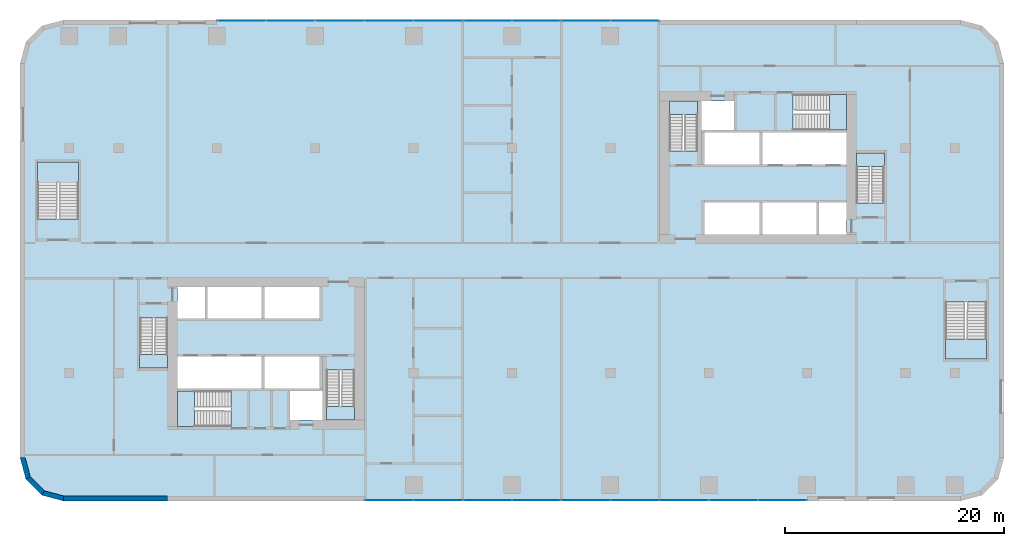
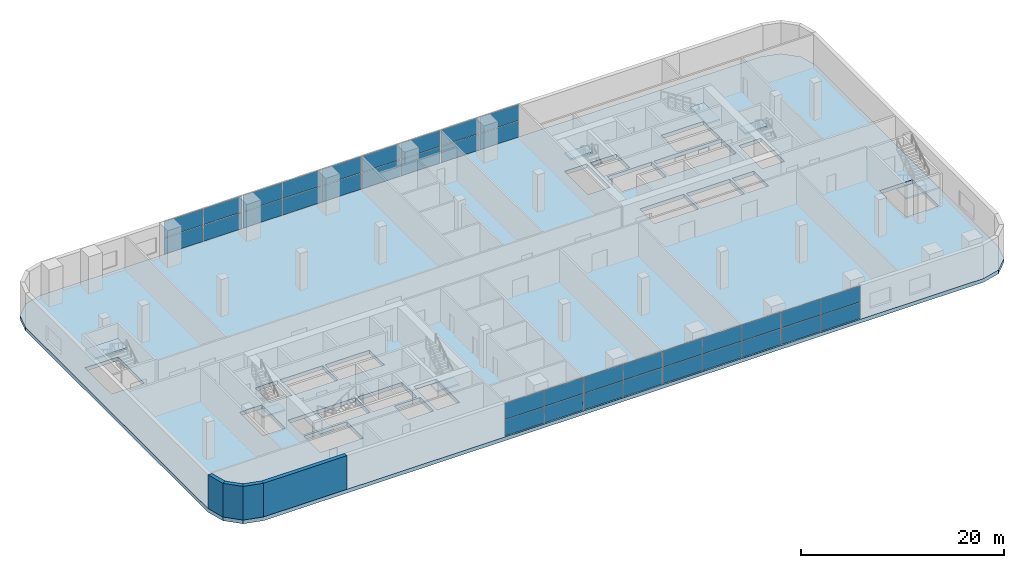
# One storey, part 6 of 19: 36 plates, 9 slabs, 4 walls, 16 elements without a shape of their own.
"""IFC4 building model written with IfcOpenShell, lengths in metres."""

from ifc_helpers import new_model, si_unit, direction, frame, frame_2d, origin, origin_2d, place, context, subcontext, project, spatial, polyline, rectangle, outline, extrude, material, layer, layer_set, type_object, element, aggregate, save


model = new_model("IFC4")

# Units and contexts
model_context = context("Model", 3, precision=1e-05, world=origin(), true_north=direction((0.0, 1.0)))
body_context = subcontext(model_context, "Body", "Model", "MODEL_VIEW")
ifc_project = project(units=[si_unit("LENGTHUNIT", "METRE"), si_unit("AREAUNIT", "SQUARE_METRE"), si_unit("VOLUMEUNIT", "CUBIC_METRE"), si_unit("PLANEANGLEUNIT", "RADIAN"), si_unit("MASSUNIT", "GRAM", prefix="KILO")], contexts=[model_context])

# Site, building, storey
site_placement = place(None, origin())
site = spatial("IfcSite", under=ifc_project, at=site_placement, CompositionType="ELEMENT")
building_placement = place(site_placement, origin())
building = spatial("IfcBuilding", under=site, at=building_placement, Name="Kajstack Hotel Tower", CompositionType="ELEMENT")
storey_placement = place(building_placement, frame((0.0, 0.0, 33.5)))
storey = spatial("IfcBuildingStorey", under=building, at=storey_placement, Name="L05", CompositionType="ELEMENT", Elevation=33.5)

# Curtain wall, plates
ifc_material_1 = material(Name="Aluminium-framed curtain wall, solar-control glass", Category="aluminium")
curtain_wall_type = type_object("IfcCurtainWallType", Name="CW-CLUB", PredefinedType="NOTDEFINED", material=ifc_material_1)
curtain_wall_1_placement = place(storey_placement, origin())
curtain_wall_1 = element("IfcCurtainWall", 1, at=curtain_wall_1_placement, inside=storey, type_object=curtain_wall_type, Name="Curtain wall CU4 L05-03-02-0", PredefinedType="NOTDEFINED")
ifc_material_2 = material(Name="Solar-control glass", Category="glass")
ifc_layer_1 = layer(ifc_material_2, 0.028076171875)
ifc_layer_set_1 = layer_set([ifc_layer_1], Name="CW-P-CLUB")
plate_type = type_object("IfcPlateType", Name="CW-P-CLUB", PredefinedType="CURTAIN_PANEL", material=ifc_layer_set_1)
plate_1_placement = place(storey_placement, frame((-11.235107421875, -21.925048828125, 0.06005859375), z_axis=(0.0, 0.0, 1.0), x_axis=(1.0, 0.0, 0.0)))
plate_1 = element("IfcPlate", 2, at=plate_1_placement, type_object=plate_type, Name="CU4 panel 1.1", PredefinedType="CURTAIN_PANEL", context=body_context, shape_type="SweptSolid", body=[
    extrude(rectangle(XDim=4.409912109375, YDim=0.028076171875, at=origin_2d()), origin(), (0.0, 0.0, 1.0), 1.93505859375),
])
plate_2_placement = place(storey_placement, frame((-11.235107421875, -21.925048828125, 2.054931640625), z_axis=(0.0, 0.0, 1.0), x_axis=(1.0, 0.0, 0.0)))
plate_2 = element("IfcPlate", 3, at=plate_2_placement, type_object=plate_type, Name="CU4 panel 1.2", PredefinedType="CURTAIN_PANEL", context=body_context, shape_type="SweptSolid", body=[
    extrude(rectangle(XDim=4.409912109375, YDim=0.028076171875, at=origin_2d()), origin(), (0.0, 0.0, 1.0), 1.93505859375),
])
plate_3_placement = place(storey_placement, frame((-6.764892578125, -21.925048828125, 0.06005859375), z_axis=(0.0, 0.0, 1.0), x_axis=(1.0, 0.0, 0.0)))
plate_3 = element("IfcPlate", 4, at=plate_3_placement, type_object=plate_type, Name="CU4 panel 2.1", PredefinedType="CURTAIN_PANEL", context=body_context, shape_type="SweptSolid", body=[
    extrude(rectangle(XDim=4.409912109375, YDim=0.028076171875, at=origin_2d()), origin(), (0.0, 0.0, 1.0), 1.93505859375),
])
plate_4_placement = place(storey_placement, frame((-6.764892578125, -21.925048828125, 2.054931640625), z_axis=(0.0, 0.0, 1.0), x_axis=(1.0, 0.0, 0.0)))
plate_4 = element("IfcPlate", 5, at=plate_4_placement, type_object=plate_type, Name="CU4 panel 2.2", PredefinedType="CURTAIN_PANEL", context=body_context, shape_type="SweptSolid", body=[
    extrude(rectangle(XDim=4.409912109375, YDim=0.028076171875, at=origin_2d()), origin(), (0.0, 0.0, 1.0), 1.93505859375),
])
aggregate(curtain_wall_1, [plate_1, plate_2, plate_3, plate_4])

curtain_wall_2_placement = place(storey_placement, origin())
curtain_wall_2 = element("IfcCurtainWall", 6, at=curtain_wall_2_placement, inside=storey, type_object=curtain_wall_type, Name="Curtain wall CU4 L05-03-02-1", PredefinedType="NOTDEFINED")
plate_5_placement = place(storey_placement, frame((-2.235107421875, -21.925048828125, 0.06005859375), z_axis=(0.0, 0.0, 1.0), x_axis=(1.0, 0.0, 0.0)))
plate_5 = element("IfcPlate", 7, at=plate_5_placement, type_object=plate_type, Name="CU4 panel 1.1", PredefinedType="CURTAIN_PANEL", context=body_context, shape_type="SweptSolid", body=[
    extrude(rectangle(XDim=4.409912109375, YDim=0.028076171875, at=origin_2d()), origin(), (0.0, 0.0, 1.0), 1.93505859375),
])
plate_6_placement = place(storey_placement, frame((-2.235107421875, -21.925048828125, 2.054931640625), z_axis=(0.0, 0.0, 1.0), x_axis=(1.0, 0.0, 0.0)))
plate_6 = element("IfcPlate", 8, at=plate_6_placement, type_object=plate_type, Name="CU4 panel 1.2", PredefinedType="CURTAIN_PANEL", context=body_context, shape_type="SweptSolid", body=[
    extrude(rectangle(XDim=4.409912109375, YDim=0.028076171875, at=origin_2d()), origin(), (0.0, 0.0, 1.0), 1.93505859375),
])
plate_7_placement = place(storey_placement, frame((2.235107421875, -21.925048828125, 0.06005859375), z_axis=(0.0, 0.0, 1.0), x_axis=(1.0, 0.0, 0.0)))
plate_7 = element("IfcPlate", 9, at=plate_7_placement, type_object=plate_type, Name="CU4 panel 2.1", PredefinedType="CURTAIN_PANEL", context=body_context, shape_type="SweptSolid", body=[
    extrude(rectangle(XDim=4.409912109375, YDim=0.028076171875, at=origin_2d()), origin(), (0.0, 0.0, 1.0), 1.93505859375),
])
plate_8_placement = place(storey_placement, frame((2.235107421875, -21.925048828125, 2.054931640625), z_axis=(0.0, 0.0, 1.0), x_axis=(1.0, 0.0, 0.0)))
plate_8 = element("IfcPlate", 10, at=plate_8_placement, type_object=plate_type, Name="CU4 panel 2.2", PredefinedType="CURTAIN_PANEL", context=body_context, shape_type="SweptSolid", body=[
    extrude(rectangle(XDim=4.409912109375, YDim=0.028076171875, at=origin_2d()), origin(), (0.0, 0.0, 1.0), 1.93505859375),
])
aggregate(curtain_wall_2, [plate_5, plate_6, plate_7, plate_8])

curtain_wall_3_placement = place(storey_placement, origin())
curtain_wall_3 = element("IfcCurtainWall", 11, at=curtain_wall_3_placement, inside=storey, type_object=curtain_wall_type, Name="Curtain wall CU4 L05-03-02-2", PredefinedType="NOTDEFINED")
plate_9_placement = place(storey_placement, frame((6.764892578125, -21.925048828125, 0.06005859375), z_axis=(0.0, 0.0, 1.0), x_axis=(1.0, 0.0, 0.0)))
plate_9 = element("IfcPlate", 12, at=plate_9_placement, type_object=plate_type, Name="CU4 panel 1.1", PredefinedType="CURTAIN_PANEL", context=body_context, shape_type="SweptSolid", body=[
    extrude(rectangle(XDim=4.409912109375, YDim=0.028076171875, at=origin_2d()), origin(), (0.0, 0.0, 1.0), 1.93505859375),
])
plate_10_placement = place(storey_placement, frame((6.764892578125, -21.925048828125, 2.054931640625), z_axis=(0.0, 0.0, 1.0), x_axis=(1.0, 0.0, 0.0)))
plate_10 = element("IfcPlate", 13, at=plate_10_placement, type_object=plate_type, Name="CU4 panel 1.2", PredefinedType="CURTAIN_PANEL", context=body_context, shape_type="SweptSolid", body=[
    extrude(rectangle(XDim=4.409912109375, YDim=0.028076171875, at=origin_2d()), origin(), (0.0, 0.0, 1.0), 1.93505859375),
])
plate_11_placement = place(storey_placement, frame((11.25, -21.925048828125, 0.06005859375), z_axis=(0.0, 0.0, 1.0), x_axis=(1.0, 0.0, 0.0)))
plate_11 = element("IfcPlate", 14, at=plate_11_placement, type_object=plate_type, Name="CU4 panel 2.1", PredefinedType="CURTAIN_PANEL", context=body_context, shape_type="SweptSolid", body=[
    extrude(rectangle(XDim=4.43994140625, YDim=0.028076171875, at=origin_2d()), origin(), (0.0, 0.0, 1.0), 1.93505859375),
])
plate_12_placement = place(storey_placement, frame((11.25, -21.925048828125, 2.054931640625), z_axis=(0.0, 0.0, 1.0), x_axis=(1.0, 0.0, 0.0)))
plate_12 = element("IfcPlate", 15, at=plate_12_placement, type_object=plate_type, Name="CU4 panel 2.2", PredefinedType="CURTAIN_PANEL", context=body_context, shape_type="SweptSolid", body=[
    extrude(rectangle(XDim=4.43994140625, YDim=0.028076171875, at=origin_2d()), origin(), (0.0, 0.0, 1.0), 1.93505859375),
])
plate_13_placement = place(storey_placement, frame((15.735107421875, -21.925048828125, 0.06005859375), z_axis=(0.0, 0.0, 1.0), x_axis=(1.0, 0.0, 0.0)))
plate_13 = element("IfcPlate", 16, at=plate_13_placement, type_object=plate_type, Name="CU4 panel 3.1", PredefinedType="CURTAIN_PANEL", context=body_context, shape_type="SweptSolid", body=[
    extrude(rectangle(XDim=4.409912109375, YDim=0.028076171875, at=origin_2d()), origin(), (0.0, 0.0, 1.0), 1.93505859375),
])
plate_14_placement = place(storey_placement, frame((15.735107421875, -21.925048828125, 2.054931640625), z_axis=(0.0, 0.0, 1.0), x_axis=(1.0, 0.0, 0.0)))
plate_14 = element("IfcPlate", 17, at=plate_14_placement, type_object=plate_type, Name="CU4 panel 3.2", PredefinedType="CURTAIN_PANEL", context=body_context, shape_type="SweptSolid", body=[
    extrude(rectangle(XDim=4.409912109375, YDim=0.028076171875, at=origin_2d()), origin(), (0.0, 0.0, 1.0), 1.93505859375),
])
aggregate(curtain_wall_3, [plate_9, plate_10, plate_11, plate_12, plate_13, plate_14])

curtain_wall_4_placement = place(storey_placement, origin())
curtain_wall_4 = element("IfcCurtainWall", 18, at=curtain_wall_4_placement, inside=storey, type_object=curtain_wall_type, Name="Curtain wall CU4 L05-03-02-3", PredefinedType="NOTDEFINED")
plate_15_placement = place(storey_placement, frame((20.264892578125, -21.925048828125, 0.06005859375), z_axis=(0.0, 0.0, 1.0), x_axis=(1.0, 0.0, 0.0)))
plate_15 = element("IfcPlate", 19, at=plate_15_placement, type_object=plate_type, Name="CU4 panel 1.1", PredefinedType="CURTAIN_PANEL", context=body_context, shape_type="SweptSolid", body=[
    extrude(rectangle(XDim=4.409912109375, YDim=0.028076171875, at=origin_2d()), origin(), (0.0, 0.0, 1.0), 1.93505859375),
])
plate_16_placement = place(storey_placement, frame((20.264892578125, -21.925048828125, 2.054931640625), z_axis=(0.0, 0.0, 1.0), x_axis=(1.0, 0.0, 0.0)))
plate_16 = element("IfcPlate", 20, at=plate_16_placement, type_object=plate_type, Name="CU4 panel 1.2", PredefinedType="CURTAIN_PANEL", context=body_context, shape_type="SweptSolid", body=[
    extrude(rectangle(XDim=4.409912109375, YDim=0.028076171875, at=origin_2d()), origin(), (0.0, 0.0, 1.0), 1.93505859375),
])
plate_17_placement = place(storey_placement, frame((24.735107421875, -21.925048828125, 0.06005859375), z_axis=(0.0, 0.0, 1.0), x_axis=(1.0, 0.0, 0.0)))
plate_17 = element("IfcPlate", 21, at=plate_17_placement, type_object=plate_type, Name="CU4 panel 2.1", PredefinedType="CURTAIN_PANEL", context=body_context, shape_type="SweptSolid", body=[
    extrude(rectangle(XDim=4.409912109375, YDim=0.028076171875, at=origin_2d()), origin(), (0.0, 0.0, 1.0), 1.93505859375),
])
plate_18_placement = place(storey_placement, frame((24.735107421875, -21.925048828125, 2.054931640625), z_axis=(0.0, 0.0, 1.0), x_axis=(1.0, 0.0, 0.0)))
plate_18 = element("IfcPlate", 22, at=plate_18_placement, type_object=plate_type, Name="CU4 panel 2.2", PredefinedType="CURTAIN_PANEL", context=body_context, shape_type="SweptSolid", body=[
    extrude(rectangle(XDim=4.409912109375, YDim=0.028076171875, at=origin_2d()), origin(), (0.0, 0.0, 1.0), 1.93505859375),
])
aggregate(curtain_wall_4, [plate_15, plate_16, plate_17, plate_18])

curtain_wall_5_placement = place(storey_placement, origin())
curtain_wall_5 = element("IfcCurtainWall", 23, at=curtain_wall_5_placement, inside=storey, type_object=curtain_wall_type, Name="Curtain wall CU4 L05-11-02-0", PredefinedType="NOTDEFINED")
plate_19_placement = place(storey_placement, frame((11.235107421875, 21.925048828125, 0.06005859375), z_axis=(0.0, 0.0, 1.0), x_axis=(-1.0, 0.0, 0.0)))
plate_19 = element("IfcPlate", 24, at=plate_19_placement, type_object=plate_type, Name="CU4 panel 1.1", PredefinedType="CURTAIN_PANEL", context=body_context, shape_type="SweptSolid", body=[
    extrude(rectangle(XDim=4.409912109375, YDim=0.028076171875, at=origin_2d()), origin(), (0.0, 0.0, 1.0), 1.93505859375),
])
plate_20_placement = place(storey_placement, frame((11.235107421875, 21.925048828125, 2.054931640625), z_axis=(0.0, 0.0, 1.0), x_axis=(-1.0, 0.0, 0.0)))
plate_20 = element("IfcPlate", 25, at=plate_20_placement, type_object=plate_type, Name="CU4 panel 1.2", PredefinedType="CURTAIN_PANEL", context=body_context, shape_type="SweptSolid", body=[
    extrude(rectangle(XDim=4.409912109375, YDim=0.028076171875, at=origin_2d()), origin(), (0.0, 0.0, 1.0), 1.93505859375),
])
plate_21_placement = place(storey_placement, frame((6.764892578125, 21.925048828125, 0.06005859375), z_axis=(0.0, 0.0, 1.0), x_axis=(-1.0, 0.0, 0.0)))
plate_21 = element("IfcPlate", 26, at=plate_21_placement, type_object=plate_type, Name="CU4 panel 2.1", PredefinedType="CURTAIN_PANEL", context=body_context, shape_type="SweptSolid", body=[
    extrude(rectangle(XDim=4.409912109375, YDim=0.028076171875, at=origin_2d()), origin(), (0.0, 0.0, 1.0), 1.93505859375),
])
plate_22_placement = place(storey_placement, frame((6.764892578125, 21.925048828125, 2.054931640625), z_axis=(0.0, 0.0, 1.0), x_axis=(-1.0, 0.0, 0.0)))
plate_22 = element("IfcPlate", 27, at=plate_22_placement, type_object=plate_type, Name="CU4 panel 2.2", PredefinedType="CURTAIN_PANEL", context=body_context, shape_type="SweptSolid", body=[
    extrude(rectangle(XDim=4.409912109375, YDim=0.028076171875, at=origin_2d()), origin(), (0.0, 0.0, 1.0), 1.93505859375),
])
aggregate(curtain_wall_5, [plate_19, plate_20, plate_21, plate_22])

curtain_wall_6_placement = place(storey_placement, origin())
curtain_wall_6 = element("IfcCurtainWall", 28, at=curtain_wall_6_placement, inside=storey, type_object=curtain_wall_type, Name="Curtain wall CU4 L05-11-02-1", PredefinedType="NOTDEFINED")
plate_23_placement = place(storey_placement, frame((2.235107421875, 21.925048828125, 0.06005859375), z_axis=(0.0, 0.0, 1.0), x_axis=(-1.0, 0.0, 0.0)))
plate_23 = element("IfcPlate", 29, at=plate_23_placement, type_object=plate_type, Name="CU4 panel 1.1", PredefinedType="CURTAIN_PANEL", context=body_context, shape_type="SweptSolid", body=[
    extrude(rectangle(XDim=4.409912109375, YDim=0.028076171875, at=origin_2d()), origin(), (0.0, 0.0, 1.0), 1.93505859375),
])
plate_24_placement = place(storey_placement, frame((2.235107421875, 21.925048828125, 2.054931640625), z_axis=(0.0, 0.0, 1.0), x_axis=(-1.0, 0.0, 0.0)))
plate_24 = element("IfcPlate", 30, at=plate_24_placement, type_object=plate_type, Name="CU4 panel 1.2", PredefinedType="CURTAIN_PANEL", context=body_context, shape_type="SweptSolid", body=[
    extrude(rectangle(XDim=4.409912109375, YDim=0.028076171875, at=origin_2d()), origin(), (0.0, 0.0, 1.0), 1.93505859375),
])
plate_25_placement = place(storey_placement, frame((-2.235107421875, 21.925048828125, 0.06005859375), z_axis=(0.0, 0.0, 1.0), x_axis=(-1.0, 0.0, 0.0)))
plate_25 = element("IfcPlate", 31, at=plate_25_placement, type_object=plate_type, Name="CU4 panel 2.1", PredefinedType="CURTAIN_PANEL", context=body_context, shape_type="SweptSolid", body=[
    extrude(rectangle(XDim=4.409912109375, YDim=0.028076171875, at=origin_2d()), origin(), (0.0, 0.0, 1.0), 1.93505859375),
])
plate_26_placement = place(storey_placement, frame((-2.235107421875, 21.925048828125, 2.054931640625), z_axis=(0.0, 0.0, 1.0), x_axis=(-1.0, 0.0, 0.0)))
plate_26 = element("IfcPlate", 32, at=plate_26_placement, type_object=plate_type, Name="CU4 panel 2.2", PredefinedType="CURTAIN_PANEL", context=body_context, shape_type="SweptSolid", body=[
    extrude(rectangle(XDim=4.409912109375, YDim=0.028076171875, at=origin_2d()), origin(), (0.0, 0.0, 1.0), 1.93505859375),
])
aggregate(curtain_wall_6, [plate_23, plate_24, plate_25, plate_26])

curtain_wall_7_placement = place(storey_placement, origin())
curtain_wall_7 = element("IfcCurtainWall", 33, at=curtain_wall_7_placement, inside=storey, type_object=curtain_wall_type, Name="Curtain wall CU4 L05-11-02-2", PredefinedType="NOTDEFINED")
plate_27_placement = place(storey_placement, frame((-6.764892578125, 21.925048828125, 0.06005859375), z_axis=(0.0, 0.0, 1.0), x_axis=(-1.0, 0.0, 0.0)))
plate_27 = element("IfcPlate", 34, at=plate_27_placement, type_object=plate_type, Name="CU4 panel 1.1", PredefinedType="CURTAIN_PANEL", context=body_context, shape_type="SweptSolid", body=[
    extrude(rectangle(XDim=4.409912109375, YDim=0.028076171875, at=origin_2d()), origin(), (0.0, 0.0, 1.0), 1.93505859375),
])
plate_28_placement = place(storey_placement, frame((-6.764892578125, 21.925048828125, 2.054931640625), z_axis=(0.0, 0.0, 1.0), x_axis=(-1.0, 0.0, 0.0)))
plate_28 = element("IfcPlate", 35, at=plate_28_placement, type_object=plate_type, Name="CU4 panel 1.2", PredefinedType="CURTAIN_PANEL", context=body_context, shape_type="SweptSolid", body=[
    extrude(rectangle(XDim=4.409912109375, YDim=0.028076171875, at=origin_2d()), origin(), (0.0, 0.0, 1.0), 1.93505859375),
])
plate_29_placement = place(storey_placement, frame((-11.25, 21.925048828125, 0.06005859375), z_axis=(0.0, 0.0, 1.0), x_axis=(-1.0, 0.0, 0.0)))
plate_29 = element("IfcPlate", 36, at=plate_29_placement, type_object=plate_type, Name="CU4 panel 2.1", PredefinedType="CURTAIN_PANEL", context=body_context, shape_type="SweptSolid", body=[
    extrude(rectangle(XDim=4.43994140625, YDim=0.028076171875, at=origin_2d()), origin(), (0.0, 0.0, 1.0), 1.93505859375),
])
plate_30_placement = place(storey_placement, frame((-11.25, 21.925048828125, 2.054931640625), z_axis=(0.0, 0.0, 1.0), x_axis=(-1.0, 0.0, 0.0)))
plate_30 = element("IfcPlate", 37, at=plate_30_placement, type_object=plate_type, Name="CU4 panel 2.2", PredefinedType="CURTAIN_PANEL", context=body_context, shape_type="SweptSolid", body=[
    extrude(rectangle(XDim=4.43994140625, YDim=0.028076171875, at=origin_2d()), origin(), (0.0, 0.0, 1.0), 1.93505859375),
])
plate_31_placement = place(storey_placement, frame((-15.735107421875, 21.925048828125, 0.06005859375), z_axis=(0.0, 0.0, 1.0), x_axis=(-1.0, 0.0, 0.0)))
plate_31 = element("IfcPlate", 38, at=plate_31_placement, type_object=plate_type, Name="CU4 panel 3.1", PredefinedType="CURTAIN_PANEL", context=body_context, shape_type="SweptSolid", body=[
    extrude(rectangle(XDim=4.409912109375, YDim=0.028076171875, at=origin_2d()), origin(), (0.0, 0.0, 1.0), 1.93505859375),
])
plate_32_placement = place(storey_placement, frame((-15.735107421875, 21.925048828125, 2.054931640625), z_axis=(0.0, 0.0, 1.0), x_axis=(-1.0, 0.0, 0.0)))
plate_32 = element("IfcPlate", 39, at=plate_32_placement, type_object=plate_type, Name="CU4 panel 3.2", PredefinedType="CURTAIN_PANEL", context=body_context, shape_type="SweptSolid", body=[
    extrude(rectangle(XDim=4.409912109375, YDim=0.028076171875, at=origin_2d()), origin(), (0.0, 0.0, 1.0), 1.93505859375),
])
aggregate(curtain_wall_7, [plate_27, plate_28, plate_29, plate_30, plate_31, plate_32])

curtain_wall_8_placement = place(storey_placement, origin())
curtain_wall_8 = element("IfcCurtainWall", 40, at=curtain_wall_8_placement, inside=storey, type_object=curtain_wall_type, Name="Curtain wall CU4 L05-11-02-3", PredefinedType="NOTDEFINED")
plate_33_placement = place(storey_placement, frame((-20.264892578125, 21.925048828125, 0.06005859375), z_axis=(0.0, 0.0, 1.0), x_axis=(-1.0, 0.0, 0.0)))
plate_33 = element("IfcPlate", 41, at=plate_33_placement, type_object=plate_type, Name="CU4 panel 1.1", PredefinedType="CURTAIN_PANEL", context=body_context, shape_type="SweptSolid", body=[
    extrude(rectangle(XDim=4.409912109375, YDim=0.028076171875, at=origin_2d()), origin(), (0.0, 0.0, 1.0), 1.93505859375),
])
plate_34_placement = place(storey_placement, frame((-20.264892578125, 21.925048828125, 2.054931640625), z_axis=(0.0, 0.0, 1.0), x_axis=(-1.0, 0.0, 0.0)))
plate_34 = element("IfcPlate", 42, at=plate_34_placement, type_object=plate_type, Name="CU4 panel 1.2", PredefinedType="CURTAIN_PANEL", context=body_context, shape_type="SweptSolid", body=[
    extrude(rectangle(XDim=4.409912109375, YDim=0.028076171875, at=origin_2d()), origin(), (0.0, 0.0, 1.0), 1.93505859375),
])
plate_35_placement = place(storey_placement, frame((-24.735107421875, 21.925048828125, 0.06005859375), z_axis=(0.0, 0.0, 1.0), x_axis=(-1.0, 0.0, 0.0)))
plate_35 = element("IfcPlate", 43, at=plate_35_placement, type_object=plate_type, Name="CU4 panel 2.1", PredefinedType="CURTAIN_PANEL", context=body_context, shape_type="SweptSolid", body=[
    extrude(rectangle(XDim=4.409912109375, YDim=0.028076171875, at=origin_2d()), origin(), (0.0, 0.0, 1.0), 1.93505859375),
])
plate_36_placement = place(storey_placement, frame((-24.735107421875, 21.925048828125, 2.054931640625), z_axis=(0.0, 0.0, 1.0), x_axis=(-1.0, 0.0, 0.0)))
plate_36 = element("IfcPlate", 44, at=plate_36_placement, type_object=plate_type, Name="CU4 panel 2.2", PredefinedType="CURTAIN_PANEL", context=body_context, shape_type="SweptSolid", body=[
    extrude(rectangle(XDim=4.409912109375, YDim=0.028076171875, at=origin_2d()), origin(), (0.0, 0.0, 1.0), 1.93505859375),
])
aggregate(curtain_wall_8, [plate_33, plate_34, plate_35, plate_36])

# Slab
ifc_material_3 = material(Name="Concrete C45/55", Category="concrete")
ifc_layer_2 = layer(ifc_material_3, 0.449951171875)
ifc_layer_set_2 = layer_set([ifc_layer_2], Name="RC slab 450 C45/55 podium")
slab_type_1 = type_object("IfcSlabType", Name="RC slab 450 C45/55 podium", PredefinedType="FLOOR", material=ifc_layer_set_2)
slab_1_placement = place(storey_placement, frame((0.0, 0.0, -0.449951171875)))
element("IfcSlab", 45, at=slab_1_placement, inside=storey, type_object=slab_type_1, Name="S-slab-L05", PredefinedType="FLOOR", context=body_context, shape_type="SweptSolid", body=[
    extrude(outline(polyline([(-45.0, -18.0), (-44.464111328125, -20.0), (-43.0, -21.464111328125), (-41.0, -22.0), (41.0, -22.0), (43.0, -21.464111328125), (44.464111328125, -20.0), (45.0, -18.0), (45.0, 18.0), (44.464111328125, 20.0), (43.0, 21.464111328125), (41.0, 22.0), (-41.0, 22.0), (-43.0, 21.464111328125), (-44.464111328125, 20.0), (-45.0, 18.0), (-45.0, -18.0)]), holes=[polyline([(-30.60009765625, -11.699951171875), (-30.60009765625, -8.800048828125), (-22.89990234375, -8.800048828125), (-22.89990234375, -11.699951171875), (-30.60009765625, -11.699951171875)]), polyline([(-22.64990234375, -11.699951171875), (-22.64990234375, -8.800048828125), (-17.60009765625, -8.800048828125), (-17.60009765625, -11.699951171875), (-22.64990234375, -11.699951171875)]), polyline([(-27.85009765625, -5.300048828125), (-27.85009765625, -2.39990234375), (-22.89990234375, -2.39990234375), (-22.89990234375, -5.300048828125), (-27.85009765625, -5.300048828125)]), polyline([(-22.64990234375, -5.300048828125), (-22.64990234375, -2.39990234375), (-17.60009765625, -2.39990234375), (-17.60009765625, -5.300048828125), (-22.64990234375, -5.300048828125)]), polyline([(-20.300048828125, -14.60009765625), (-17.35009765625, -14.60009765625), (-17.35009765625, -11.949951171875), (-20.300048828125, -11.949951171875), (-20.300048828125, -14.60009765625)]), polyline([(-30.60009765625, -5.300048828125), (-28.10009765625, -5.300048828125), (-28.10009765625, -2.39990234375), (-30.60009765625, -2.39990234375), (-30.60009765625, -5.300048828125)]), polyline([(22.89990234375, 8.800048828125), (22.89990234375, 11.699951171875), (30.60009765625, 11.699951171875), (30.60009765625, 8.800048828125), (22.89990234375, 8.800048828125)]), polyline([(17.60009765625, 8.800048828125), (17.60009765625, 11.699951171875), (22.64990234375, 11.699951171875), (22.64990234375, 8.800048828125), (17.60009765625, 8.800048828125)]), polyline([(22.89990234375, 2.39990234375), (22.89990234375, 5.300048828125), (27.85009765625, 5.300048828125), (27.85009765625, 2.39990234375), (22.89990234375, 2.39990234375)]), polyline([(17.60009765625, 2.39990234375), (17.60009765625, 5.300048828125), (22.64990234375, 5.300048828125), (22.64990234375, 2.39990234375), (17.60009765625, 2.39990234375)]), polyline([(20.300048828125, 14.60009765625), (17.35009765625, 14.60009765625), (17.35009765625, 11.949951171875), (20.300048828125, 11.949951171875), (20.300048828125, 14.60009765625)]), polyline([(30.60009765625, 5.300048828125), (28.10009765625, 5.300048828125), (28.10009765625, 2.39990234375), (30.60009765625, 2.39990234375), (30.60009765625, 5.300048828125)]), polyline([(-34.050048828125, -9.85009765625), (-31.5, -9.85009765625), (-31.5, -5.25), (-34.050048828125, -5.25), (-34.050048828125, -9.85009765625)]), polyline([(-16.949951171875, -14.60009765625), (-14.39990234375, -14.60009765625), (-14.39990234375, -10.0), (-16.949951171875, -10.0), (-16.949951171875, -14.60009765625)]), polyline([(-30.60009765625, -15.199951171875), (-25.699951171875, -15.199951171875), (-25.699951171875, -11.949951171875), (-30.60009765625, -11.949951171875), (-30.60009765625, -15.199951171875)]), polyline([(34.050048828125, 9.85009765625), (31.5, 9.85009765625), (31.5, 5.25), (34.050048828125, 5.25), (34.050048828125, 9.85009765625)]), polyline([(16.949951171875, 14.60009765625), (14.39990234375, 14.60009765625), (14.39990234375, 10.0), (16.949951171875, 10.0), (16.949951171875, 14.60009765625)]), polyline([(30.60009765625, 15.199951171875), (25.699951171875, 15.199951171875), (25.699951171875, 11.949951171875), (30.60009765625, 11.949951171875), (30.60009765625, 15.199951171875)]), polyline([(-43.39990234375, 3.800048828125), (-39.64990234375, 3.800048828125), (-39.64990234375, 9.0), (-43.39990234375, 9.0), (-43.39990234375, 3.800048828125)]), polyline([(39.64990234375, -9.0), (43.39990234375, -9.0), (43.39990234375, -3.800048828125), (39.64990234375, -3.800048828125), (39.64990234375, -9.0)])]), origin(), (0.0, 0.0, 1.0), 0.449951171875),
])

# Stair, slab
ifc_material_4 = material(Name="Concrete C40/50", Category="concrete")
stair_type_1 = type_object("IfcStairType", Name="Exit stair 1200", PredefinedType="HALF_TURN_STAIR", material=ifc_material_4)
stair_1_placement = place(storey_placement, origin())
stair_1 = element("IfcStair", 46, at=stair_1_placement, inside=storey, type_object=stair_type_1, Name="L05 stair W1", PredefinedType="HALF_TURN_STAIR")
ifc_layer_3 = layer(ifc_material_4, 0.199951171875)
ifc_layer_set_3 = layer_set([ifc_layer_3], Name="Stair landing 200")
slab_type_2 = type_object("IfcSlabType", Name="Stair landing 200", PredefinedType="LANDING", material=ifc_layer_set_3)
slab_2_placement = place(storey_placement, frame((0.0, 0.0, 2.050048828125)))
slab_2 = element("IfcSlab", 47, at=slab_2_placement, type_object=slab_type_2, Name="W1 landing 1", PredefinedType="LANDING", context=body_context, shape_type="SweptSolid", body=[
    extrude(outline(polyline([(-34.050048828125, -8.610107421875), (-34.050048828125, -9.85009765625), (-31.5, -9.85009765625), (-31.5, -8.610107421875), (-34.050048828125, -8.610107421875)])), origin(), (0.0, 0.0, 1.0), 0.199951171875),
])
aggregate(stair_1, [slab_2])

stair_2_placement = place(storey_placement, origin())
stair_2 = element("IfcStair", 48, at=stair_2_placement, inside=storey, type_object=stair_type_1, Name="L05 stair W2", PredefinedType="HALF_TURN_STAIR")
slab_3_placement = place(storey_placement, frame((0.0, 0.0, 2.050048828125)))
slab_3 = element("IfcSlab", 49, at=slab_3_placement, type_object=slab_type_2, Name="W2 landing 1", PredefinedType="LANDING", context=body_context, shape_type="SweptSolid", body=[
    extrude(outline(polyline([(-16.949951171875, -13.360107421875), (-16.949951171875, -14.60009765625), (-14.39990234375, -14.60009765625), (-14.39990234375, -13.360107421875), (-16.949951171875, -13.360107421875)])), origin(), (0.0, 0.0, 1.0), 0.199951171875),
])
aggregate(stair_2, [slab_3])

stair_type_2 = type_object("IfcStairType", Name="Exit stair 1500", PredefinedType="HALF_TURN_STAIR", material=ifc_material_4)
stair_3_placement = place(storey_placement, origin())
stair_3 = element("IfcStair", 50, at=stair_3_placement, inside=storey, type_object=stair_type_2, Name="L05 stair W3", PredefinedType="HALF_TURN_STAIR")
slab_4_placement = place(storey_placement, frame((0.0, 0.0, 2.050048828125)))
slab_4 = element("IfcSlab", 51, at=slab_4_placement, type_object=slab_type_2, Name="W3 landing 1", PredefinedType="LANDING", context=body_context, shape_type="SweptSolid", body=[
    extrude(outline(polyline([(-29.06005859375, -11.949951171875), (-30.60009765625, -11.949951171875), (-30.60009765625, -15.199951171875), (-29.06005859375, -15.199951171875), (-29.06005859375, -11.949951171875)])), origin(), (0.0, 0.0, 1.0), 0.199951171875),
])
aggregate(stair_3, [slab_4])

stair_4_placement = place(storey_placement, origin())
stair_4 = element("IfcStair", 52, at=stair_4_placement, inside=storey, type_object=stair_type_1, Name="L05 stair E1", PredefinedType="HALF_TURN_STAIR")
slab_5_placement = place(storey_placement, frame((0.0, 0.0, 2.050048828125)))
slab_5 = element("IfcSlab", 53, at=slab_5_placement, type_object=slab_type_2, Name="E1 landing 1", PredefinedType="LANDING", context=body_context, shape_type="SweptSolid", body=[
    extrude(outline(polyline([(34.050048828125, 8.610107421875), (34.050048828125, 9.85009765625), (31.5, 9.85009765625), (31.5, 8.610107421875), (34.050048828125, 8.610107421875)])), origin(), (0.0, 0.0, 1.0), 0.199951171875),
])
aggregate(stair_4, [slab_5])

stair_5_placement = place(storey_placement, origin())
stair_5 = element("IfcStair", 54, at=stair_5_placement, inside=storey, type_object=stair_type_1, Name="L05 stair E2", PredefinedType="HALF_TURN_STAIR")
slab_6_placement = place(storey_placement, frame((0.0, 0.0, 2.050048828125)))
slab_6 = element("IfcSlab", 55, at=slab_6_placement, type_object=slab_type_2, Name="E2 landing 1", PredefinedType="LANDING", context=body_context, shape_type="SweptSolid", body=[
    extrude(outline(polyline([(16.949951171875, 13.360107421875), (16.949951171875, 14.60009765625), (14.39990234375, 14.60009765625), (14.39990234375, 13.360107421875), (16.949951171875, 13.360107421875)])), origin(), (0.0, 0.0, 1.0), 0.199951171875),
])
aggregate(stair_5, [slab_6])

stair_6_placement = place(storey_placement, origin())
stair_6 = element("IfcStair", 56, at=stair_6_placement, inside=storey, type_object=stair_type_2, Name="L05 stair E3", PredefinedType="HALF_TURN_STAIR")
slab_7_placement = place(storey_placement, frame((0.0, 0.0, 2.050048828125)))
slab_7 = element("IfcSlab", 57, at=slab_7_placement, type_object=slab_type_2, Name="E3 landing 1", PredefinedType="LANDING", context=body_context, shape_type="SweptSolid", body=[
    extrude(outline(polyline([(29.06005859375, 11.949951171875), (30.60009765625, 11.949951171875), (30.60009765625, 15.199951171875), (29.06005859375, 15.199951171875), (29.06005859375, 11.949951171875)])), origin(), (0.0, 0.0, 1.0), 0.199951171875),
])
aggregate(stair_6, [slab_7])

stair_type_3 = type_object("IfcStairType", Name="Escape stair 1800", PredefinedType="HALF_TURN_STAIR", material=ifc_material_4)
stair_7_placement = place(storey_placement, origin())
stair_7 = element("IfcStair", 58, at=stair_7_placement, inside=storey, type_object=stair_type_3, Name="L05 stair P1", PredefinedType="HALF_TURN_STAIR")
slab_8_placement = place(storey_placement, frame((0.0, 0.0, 2.050048828125)))
slab_8 = element("IfcSlab", 59, at=slab_8_placement, type_object=slab_type_2, Name="P1 landing 1", PredefinedType="LANDING", context=body_context, shape_type="SweptSolid", body=[
    extrude(outline(polyline([(-39.64990234375, 7.159912109375), (-39.64990234375, 9.0), (-43.39990234375, 9.0), (-43.39990234375, 7.159912109375), (-39.64990234375, 7.159912109375)])), origin(), (0.0, 0.0, 1.0), 0.199951171875),
])
aggregate(stair_7, [slab_8])

stair_8_placement = place(storey_placement, origin())
stair_8 = element("IfcStair", 60, at=stair_8_placement, inside=storey, type_object=stair_type_3, Name="L05 stair P2", PredefinedType="HALF_TURN_STAIR")
slab_9_placement = place(storey_placement, frame((0.0, 0.0, 2.050048828125)))
slab_9 = element("IfcSlab", 61, at=slab_9_placement, type_object=slab_type_2, Name="P2 landing 1", PredefinedType="LANDING", context=body_context, shape_type="SweptSolid", body=[
    extrude(outline(polyline([(39.64990234375, -7.159912109375), (39.64990234375, -9.0), (43.39990234375, -9.0), (43.39990234375, -7.159912109375), (39.64990234375, -7.159912109375)])), origin(), (0.0, 0.0, 1.0), 0.199951171875),
])
aggregate(stair_8, [slab_9])

# Walls
ifc_material_5 = material(Name="Terracotta-faced brick masonry", Category="masonry")
ifc_layer_4 = layer(ifc_material_5, 0.449951171875)
ifc_layer_set_4 = layer_set([ifc_layer_4], Name="EW-TERRA")
wall_type = type_object("IfcWallType", Name="EW-TERRA", PredefinedType="SOLIDWALL", material=ifc_layer_set_4)
wall_1_placement = place(storey_placement, frame((-44.78271484375, -17.941650390625, 0.0), z_axis=(0.0, 0.0, 1.0), x_axis=(0.25881466832, -0.965926999034, 0.0)))
element("IfcWall", 62, at=wall_1_placement, inside=storey, type_object=wall_type, Name="E-wall-L05-00-00", PredefinedType="SOLIDWALL", context=body_context, shape_type="SweptSolid", body=[
    extrude(outline(polyline([(0.000244140625, -0.22509765625), (2.070556640625, -0.224853515625), (1.9501953125, 0.22509765625), (0.12060546875, 0.22509765625), (0.000244140625, -0.22509765625)])), origin(), (0.0, 0.0, 1.0), 4.050048828125),
])
wall_2_placement = place(storey_placement, frame((-44.304931640625, -19.8408203125, 0.0), z_axis=(0.0, 0.0, 1.0), x_axis=(0.707106781187, -0.707106781187, 0.0)))
element("IfcWall", 63, at=wall_2_placement, inside=storey, type_object=wall_type, Name="E-wall-L05-01-00", PredefinedType="SOLIDWALL", context=body_context, shape_type="SweptSolid", body=[
    extrude(outline(polyline([(0.0, -0.22509765625), (2.070556640625, -0.22509765625), (1.949951171875, 0.224853515625), (0.12060546875, 0.224853515625), (0.0, -0.22509765625)])), origin(), (0.0, 0.0, 1.0), 4.050048828125),
])
wall_3_placement = place(storey_placement, frame((-42.941650390625, -21.246826171875, 0.0), z_axis=(0.0, 0.0, 1.0), x_axis=(0.965926999034, -0.25881466832, 0.0)))
element("IfcWall", 64, at=wall_3_placement, inside=storey, type_object=wall_type, Name="E-wall-L05-02-00", PredefinedType="SOLIDWALL", context=body_context, shape_type="SweptSolid", body=[
    extrude(outline(polyline([(-0.000244140625, -0.224853515625), (2.0703125, -0.22509765625), (1.949951171875, 0.22509765625), (0.120361328125, 0.22509765625), (-0.000244140625, -0.224853515625)])), origin(), (0.0, 0.0, 1.0), 4.050048828125),
])
wall_4_placement = place(storey_placement, frame((-41.0, -21.77490234375, 0.0), z_axis=(0.0, 0.0, 1.0), x_axis=(1.0, 0.0, 0.0)))
element("IfcWall", 65, at=wall_4_placement, inside=storey, type_object=wall_type, Name="E-wall-L05-03-00", PredefinedType="SOLIDWALL", context=body_context, shape_type="SweptSolid", body=[
    extrude(rectangle(XDim=9.5, YDim=0.449951171875, at=frame_2d((4.75, 0.0))), origin(), (0.0, 0.0, 1.0), 4.050048828125),
])

save(model, "model.ifc")
